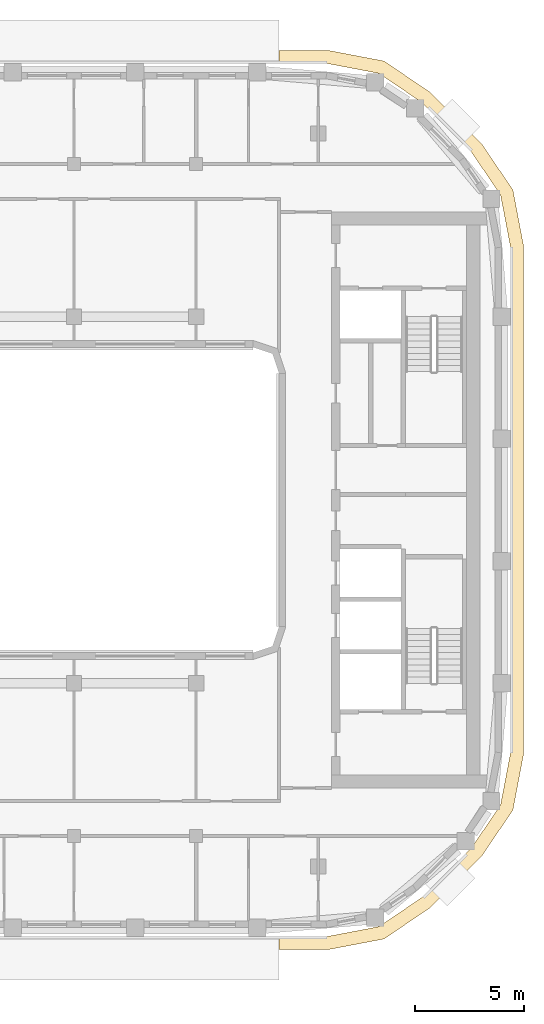
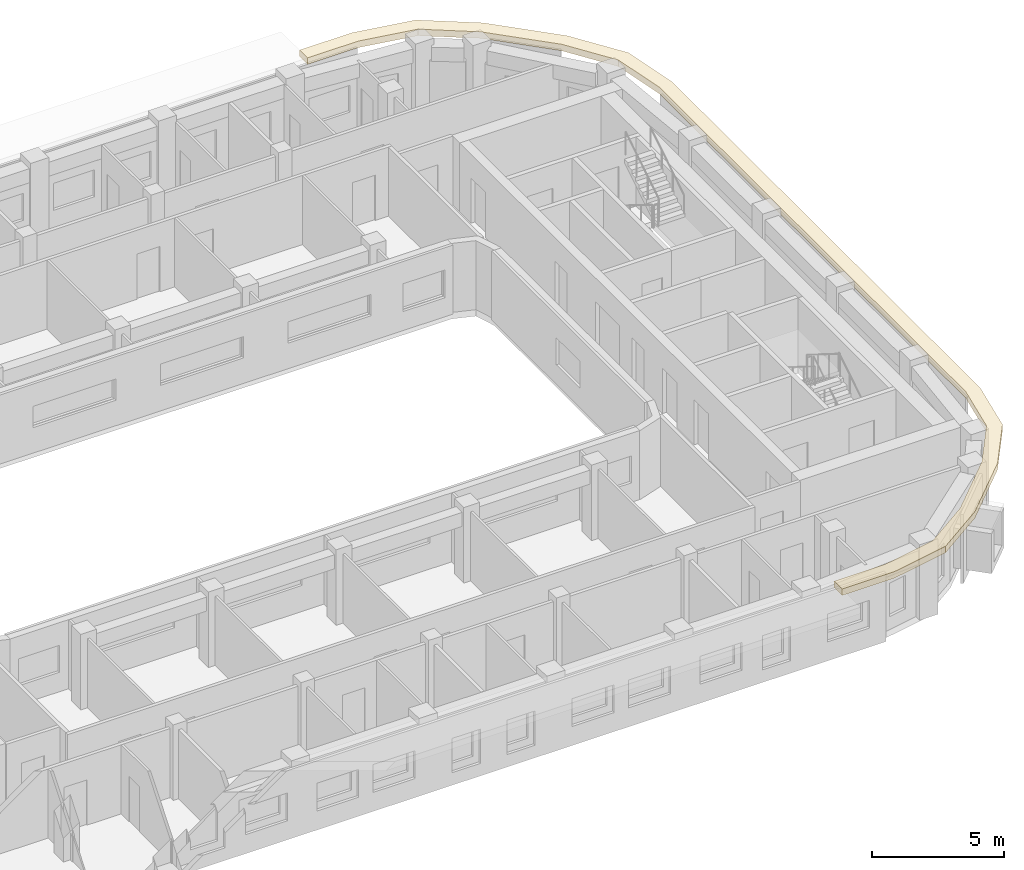
# One storey, part 13 of 15: 1 covering.
"""IFC4 building model written with IfcOpenShell, lengths in metres."""

from ifc_helpers import new_model, si_unit, direction, frame, origin, place, context, subcontext, project, spatial, polyline, outline, extrude, material, layer, layer_set, type_object, element, save


model = new_model("IFC4")

# Units and contexts
model_context = context("Model", 3, precision=1e-05, world=origin(), true_north=direction((0.0, 1.0)))
body_context = subcontext(model_context, "Body", "Model", "MODEL_VIEW")
ifc_project = project(units=[si_unit("LENGTHUNIT", "METRE"), si_unit("AREAUNIT", "SQUARE_METRE"), si_unit("VOLUMEUNIT", "CUBIC_METRE"), si_unit("PLANEANGLEUNIT", "RADIAN"), si_unit("MASSUNIT", "GRAM", prefix="KILO")], contexts=[model_context])

# Site, building, storey
site_placement = place(None, origin())
site = spatial("IfcSite", under=ifc_project, at=site_placement, CompositionType="ELEMENT")
building_placement = place(site_placement, origin())
building = spatial("IfcBuilding", under=site, at=building_placement, Name="Kiln Ring Residences", CompositionType="ELEMENT")
storey_placement = place(building_placement, frame((0.0, 0.0, 252.199951171875)))
storey = spatial("IfcBuildingStorey", under=building, at=storey_placement, Name="L65", CompositionType="ELEMENT", Elevation=252.199951171875)

# Covering
ifc_material = material(Name="Black powder-coated steel", Category="steel")
ifc_layer = layer(ifc_material, 0.300048828125)
ifc_layer_set = layer_set([ifc_layer], Name="SUNSHADE FIN 600")
covering_type = type_object("IfcCoveringType", Name="SUNSHADE FIN 600", PredefinedType="CLADDING", material=ifc_layer_set)
covering_placement = place(storey_placement, frame((0.0, 0.0, 3.199951171875)))
element("IfcCovering", 1, at=covering_placement, inside=storey, type_object=covering_type, Name="SUNSHADE FIN L65", PredefinedType="CLADDING", context=body_context, shape_type="SweptSolid", body=[
    extrude(outline(polyline([(17.29443359375, 20.60009765625), (15.0, 20.60009765625), (15.0, 20.0), (17.23779296875, 20.0), (19.58056640625, 19.552978515625), (21.55322265625, 18.21240234375), (23.8125, 15.953125), (25.153076171875, 13.980712890625), (25.60009765625, 11.6376953125), (25.60009765625, -11.6376953125), (25.153076171875, -13.980712890625), (23.8125, -15.953125), (21.55322265625, -18.21240234375), (19.58056640625, -19.552978515625), (17.23779296875, -20.0), (15.0, -20.0), (15.0, -20.60009765625), (17.29443359375, -20.60009765625), (19.815185546875, -20.119140625), (21.937255859375, -18.677001953125), (24.27685546875, -16.33740234375), (25.71923828125, -14.215087890625), (26.199951171875, -11.694580078125), (26.199951171875, 11.694580078125), (25.71923828125, 14.215087890625), (24.27685546875, 16.33740234375), (21.937255859375, 18.677001953125), (19.815185546875, 20.119140625), (17.29443359375, 20.60009765625)])), origin(), (0.0, 0.0, 1.0), 0.300048828125),
])

save(model, "model.ifc")
